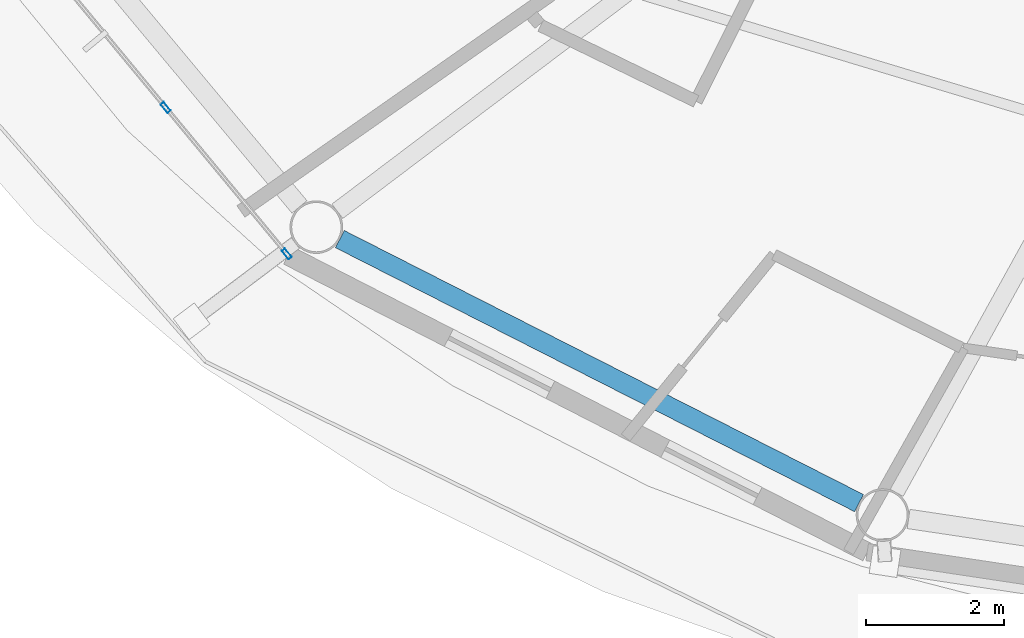
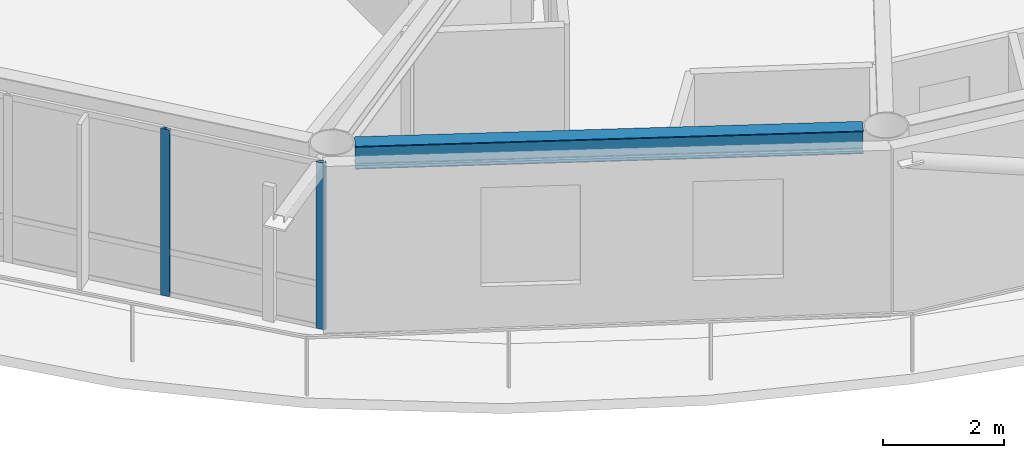
# One storey, part 2 of 23: 2 members, 1 beam, 1 element without a shape of its own.
"""IFC4 building model written with IfcOpenShell, lengths in metres."""

from ifc_helpers import new_model, si_unit, direction, frame, origin, origin_2d, place, context, subcontext, project, spatial, hollow_rectangle, i_section, extrude, material, layer, layer_set, material_profile, profile_set, type_object, element, aggregate, save


model = new_model("IFC4")

# Units and contexts
model_context = context("Model", 3, precision=1e-05, world=origin(), true_north=direction((0.0, 1.0)))
body_context = subcontext(model_context, "Body", "Model", "MODEL_VIEW")
ifc_project = project(units=[si_unit("LENGTHUNIT", "METRE"), si_unit("AREAUNIT", "SQUARE_METRE"), si_unit("VOLUMEUNIT", "CUBIC_METRE"), si_unit("PLANEANGLEUNIT", "RADIAN"), si_unit("MASSUNIT", "GRAM", prefix="KILO")], contexts=[model_context])

# Site, building, storey
site_placement = place(None, origin())
site = spatial("IfcSite", under=ifc_project, at=site_placement, CompositionType="ELEMENT")
building_placement = place(site_placement, origin())
building = spatial("IfcBuilding", under=site, at=building_placement, Name="Sarneth Arch Tower", CompositionType="ELEMENT")
storey_placement = place(building_placement, frame((0.0, 0.0, 276.60009765625)))
storey = spatial("IfcBuildingStorey", under=building, at=storey_placement, Name="L71", CompositionType="ELEMENT", Elevation=276.60009765625)

# Beam
ifc_material_1 = material(Name="Steel S355", Category="steel")
ifc_material_profile_1 = material_profile(ifc_material_1, i_section(OverallWidth=0.280029296875, OverallDepth=0.462890625, WebThickness=0.0107421875, FlangeThickness=0.017333984375, FilletRadius=0.01806640625, at=origin_2d()), Name="W460x113")
ifc_profile_set_1 = profile_set([ifc_material_profile_1], Name="Steel S355")
beam_type = type_object("IfcBeamType", Name="BM-RAD-460A", PredefinedType="BEAM", material=ifc_profile_set_1)
beam_placement = place(storey_placement, frame((30.364501953125, 28.250732421875, 3.138427734375), z_axis=(0.891373613492, -0.453269325204, 0.0), x_axis=(0.453269325204, 0.891373613492, 0.0)))
element("IfcBeam", 1, at=beam_placement, inside=storey, type_object=beam_type, Name="L71 Perimeter spandrel beam 11", PredefinedType="BEAM", context=body_context, shape_type="SweptSolid", body=[
    extrude(i_section(OverallWidth=0.280029296875, OverallDepth=0.462890625, WebThickness=0.0107421875, FlangeThickness=0.017333984375, FilletRadius=0.01806640625, at=origin_2d()), origin(), (0.0, 0.0, 1.0), 8.419677734375),
])

# Curtain wall, members
ifc_material_2 = material(Name="Anodised aluminium Type AA25 and solar-control low-e laminated IGU", Category="aluminium")
ifc_layer = layer(ifc_material_2, 0.179931640625)
ifc_layer_set = layer_set([ifc_layer], Name="Anodised aluminium Type AA25 and solar-control low-e laminated IGU")
curtain_wall_type = type_object("IfcCurtainWallType", Name="CW-RES-HIGH", PredefinedType="NOTDEFINED", material=ifc_layer_set)
curtain_wall_placement = place(storey_placement, origin())
curtain_wall = element("IfcCurtainWall", 2, at=curtain_wall_placement, inside=storey, type_object=curtain_wall_type, Name="L71 Unitised curtain wall facet 10", PredefinedType="NOTDEFINED")
ifc_material_3 = material(Name="Anodised Aluminium 6063-T6", Category="aluminium")
ifc_material_profile_2 = material_profile(ifc_material_3, hollow_rectangle(XDim=0.06005859375, YDim=0.159912109375, WallThickness=0.00390625, at=origin_2d()), Name="AL-MULL-160x60x4")
ifc_profile_set_2 = profile_set([ifc_material_profile_2], Name="Anodised Aluminium 6063-T6")
member_type = type_object("IfcMemberType", Name="CW-MULLION", PredefinedType="MULLION", material=ifc_profile_set_2)
member_1_placement = place(storey_placement, frame((27.84716796875, 30.15234375, 0.0), z_axis=(0.0, 0.0, 1.0), x_axis=(0.770359245933, 0.637610094184, 0.0)))
member_1 = element("IfcMember", 3, at=member_1_placement, type_object=member_type, Name="CW-SYS-6 mullion 3", PredefinedType="MULLION", context=body_context, shape_type="SweptSolid", body=[
    extrude(hollow_rectangle(XDim=0.06005859375, YDim=0.159912109375, WallThickness=0.00390625, at=origin_2d()), origin(), (0.0, 0.0, 1.0), 3.369873046875),
])
member_2_placement = place(storey_placement, frame((29.598388671875, 28.03662109375, 0.0), z_axis=(0.0, 0.0, 1.0), x_axis=(0.770359245933, 0.637610094184, 0.0)))
member_2 = element("IfcMember", 4, at=member_2_placement, type_object=member_type, Name="CW-SYS-6 mullion 4", PredefinedType="MULLION", context=body_context, shape_type="SweptSolid", body=[
    extrude(hollow_rectangle(XDim=0.06005859375, YDim=0.159912109375, WallThickness=0.00390625, at=origin_2d()), origin(), (0.0, 0.0, 1.0), 3.369873046875),
])
aggregate(curtain_wall, [member_1, member_2])

save(model, "model.ifc")
